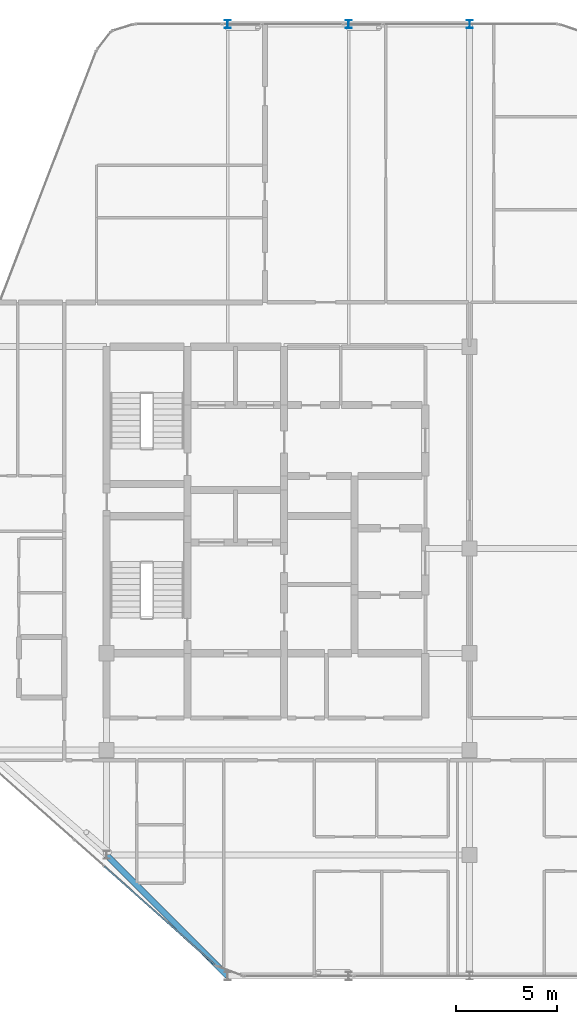
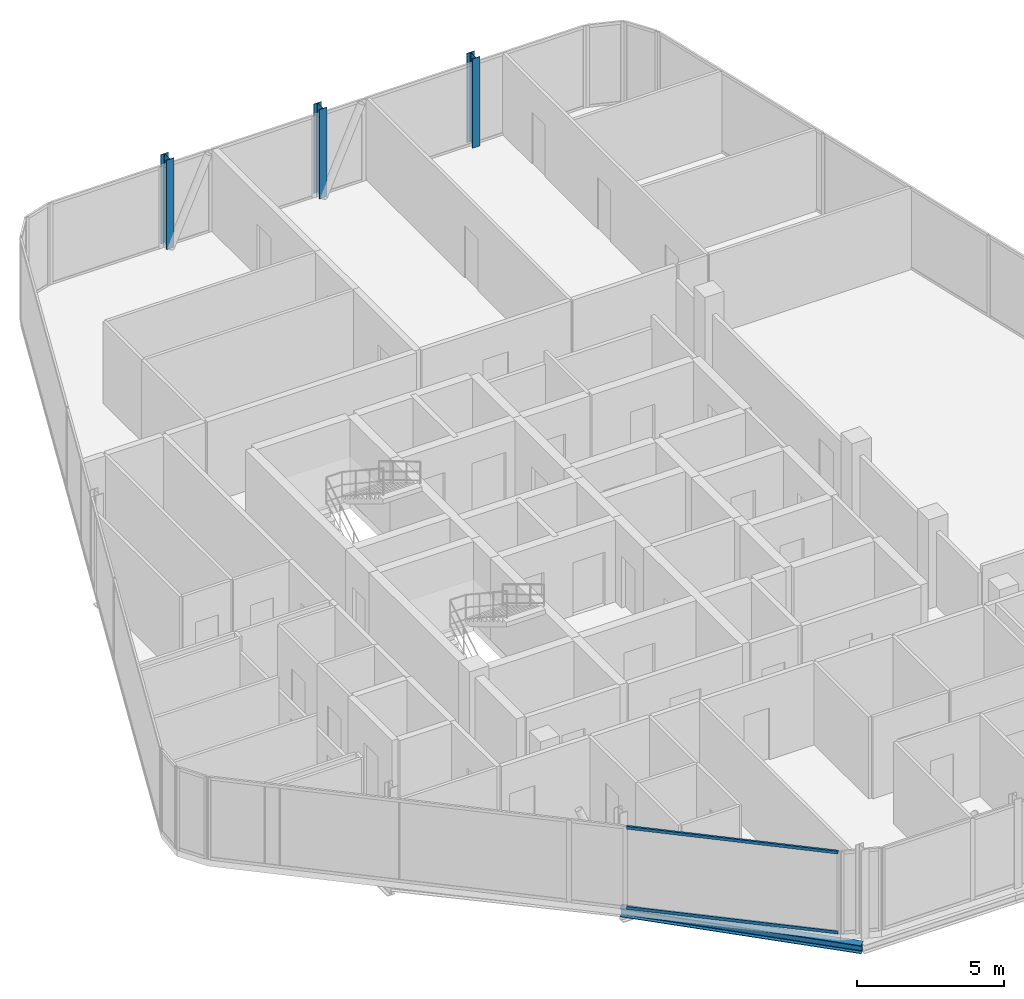
# One storey, part 2 of 27: 3 columns, 2 members, 1 beam, 1 element without a shape of its own.
"""IFC4 building model written with IfcOpenShell, lengths in metres."""

from ifc_helpers import new_model, si_unit, direction, frame, origin, origin_2d, place, context, subcontext, project, spatial, hollow_rectangle, i_section, extrude, material, layer, layer_set, material_profile, profile_set, type_object, element, aggregate, save


model = new_model("IFC4")

# Units and contexts
model_context = context("Model", 3, precision=1e-05, world=origin(), true_north=direction((0.0, 1.0)))
body_context = subcontext(model_context, "Body", "Model", "MODEL_VIEW")
ifc_project = project(units=[si_unit("LENGTHUNIT", "METRE"), si_unit("AREAUNIT", "SQUARE_METRE"), si_unit("VOLUMEUNIT", "CUBIC_METRE"), si_unit("PLANEANGLEUNIT", "RADIAN"), si_unit("MASSUNIT", "GRAM", prefix="KILO")], contexts=[model_context])

# Site, building, storey
site_placement = place(None, origin())
site = spatial("IfcSite", under=ifc_project, at=site_placement, CompositionType="ELEMENT")
building_placement = place(site_placement, origin())
building = spatial("IfcBuilding", under=site, at=building_placement, Name="Keshet Zoharim Tower", CompositionType="ELEMENT")
storey_placement = place(building_placement, frame((0.0, 0.0, 254.699951171875)))
storey = spatial("IfcBuildingStorey", under=building, at=storey_placement, Name="L63", CompositionType="ELEMENT", Elevation=254.699951171875)

# Columns
ifc_material_1 = material(Name="Steel S355", Category="steel")
ifc_material_profile_1 = material_profile(ifc_material_1, i_section(OverallWidth=0.300048828125, OverallDepth=0.39990234375, WebThickness=0.013427734375, FlangeThickness=0.02392578125, FilletRadius=0.027099609375, at=origin_2d()), Name="HEB400")
ifc_profile_set_1 = profile_set([ifc_material_profile_1], Name="Steel S355")
column_type = type_object("IfcColumnType", Name="COL-HEB400", PredefinedType="COLUMN", material=ifc_profile_set_1)
for number, where, z_axis, x_axis, name in (
    (1, (21.0, 53.89990234375, 0.0), (0.0, 0.0, 1.0), (1.0, 0.0, 0.0), "L63 Column 4L"),
    (2, (27.0, 53.89990234375, 0.0), (0.0, 0.0, 1.0), (1.0, 0.0, 0.0), "L63 Column 5L"),
    (3, (33.0, 53.89990234375, 0.0), (0.0, 0.0, 1.0), (1.0, 0.0, 0.0), "L63 Column 6L"),
):
    element("IfcColumn", number, at=place(storey_placement, frame(where, z_axis=z_axis, x_axis=x_axis)), inside=storey, type_object=column_type, Name=name, PredefinedType="COLUMN", context=body_context, shape_type="SweptSolid", body=[
        extrude(i_section(OverallWidth=0.300048828125, OverallDepth=0.39990234375, WebThickness=0.013427734375, FlangeThickness=0.02392578125, FilletRadius=0.027099609375, at=origin_2d()), origin(), (0.0, 0.0, 1.0), 3.699951171875),
    ])

# Beam
ifc_material_profile_2 = material_profile(ifc_material_1, i_section(OverallWidth=0.300048828125, OverallDepth=0.340087890625, WebThickness=0.011962890625, FlangeThickness=0.021484375, FilletRadius=0.027099609375, at=origin_2d()), Name="HEB340")
ifc_profile_set_2 = profile_set([ifc_material_profile_2], Name="Steel S355")
beam_type = type_object("IfcBeamType", Name="BM-SPN-HB340", PredefinedType="SPANDREL", material=ifc_profile_set_2)
beam_placement = place(storey_placement, frame((21.0, 6.699951171875, -0.47998046875), z_axis=(-0.707106781187, 0.707106781187, 0.0), x_axis=(-0.707106781187, -0.707106781187, 0.0)))
element("IfcBeam", 4, at=beam_placement, inside=storey, type_object=beam_type, Name="L63 Perimeter Spandrel Beam 01", PredefinedType="SPANDREL", context=body_context, shape_type="SweptSolid", body=[
    extrude(i_section(OverallWidth=0.300048828125, OverallDepth=0.340087890625, WebThickness=0.011962890625, FlangeThickness=0.021484375, FilletRadius=0.027099609375, at=origin_2d()), origin(), (0.0, 0.0, 1.0), 8.4853515625),
])

# Curtain wall, members
ifc_material_2 = material(Name="Aluminium 6063-T6", Category="aluminium")
ifc_layer = layer(ifc_material_2, 0.260009765625)
ifc_layer_set = layer_set([ifc_layer], Name="Aluminium 6063-T6")
curtain_wall_type = type_object("IfcCurtainWallType", Name="CW-SYS-06", PredefinedType="NOTDEFINED", material=ifc_layer_set)
curtain_wall_placement = place(storey_placement, origin())
curtain_wall = element("IfcCurtainWall", 5, at=curtain_wall_placement, inside=storey, type_object=curtain_wall_type, Name="L63 Unitised Curtain Wall 16", PredefinedType="NOTDEFINED")
ifc_material_profile_3 = material_profile(ifc_material_2, hollow_rectangle(XDim=0.074951171875, YDim=0.1201171875, WallThickness=0.00390625, at=origin_2d()), Name="TRN-75x120")
ifc_profile_set_3 = profile_set([ifc_material_profile_3], Name="Aluminium 6063-T6")
member_type = type_object("IfcMemberType", Name="CWT-T12", PredefinedType="USERDEFINED", material=ifc_profile_set_3)
member_1_placement = place(storey_placement, frame((20.379638671875, 7.25146484375, 0.03515625), z_axis=(-0.747412985939, 0.664359713145, 0.0), x_axis=(-0.664359713145, -0.747412985939, 0.0)))
member_1 = element("IfcMember", 6, at=member_1_placement, type_object=member_type, Name="CW-06 transom 1.1", ObjectType="TRANSOM", PredefinedType="USERDEFINED", context=body_context, shape_type="SweptSolid", body=[
    extrude(hollow_rectangle(XDim=0.074951171875, YDim=0.1201171875, WallThickness=0.00390625, at=origin_2d()), origin(), (0.0, 0.0, 1.0), 7.345947265625),
])
member_2_placement = place(storey_placement, frame((20.379638671875, 7.25146484375, 3.35498046875), z_axis=(-0.747412985939, 0.664359713145, 0.0), x_axis=(-0.664359713145, -0.747412985939, 0.0)))
member_2 = element("IfcMember", 7, at=member_2_placement, type_object=member_type, Name="CW-06 transom 1.2", ObjectType="TRANSOM", PredefinedType="USERDEFINED", context=body_context, shape_type="SweptSolid", body=[
    extrude(hollow_rectangle(XDim=0.074951171875, YDim=0.1201171875, WallThickness=0.00390625, at=origin_2d()), origin(), (0.0, 0.0, 1.0), 7.345947265625),
])
aggregate(curtain_wall, [member_1, member_2])

save(model, "model.ifc")
